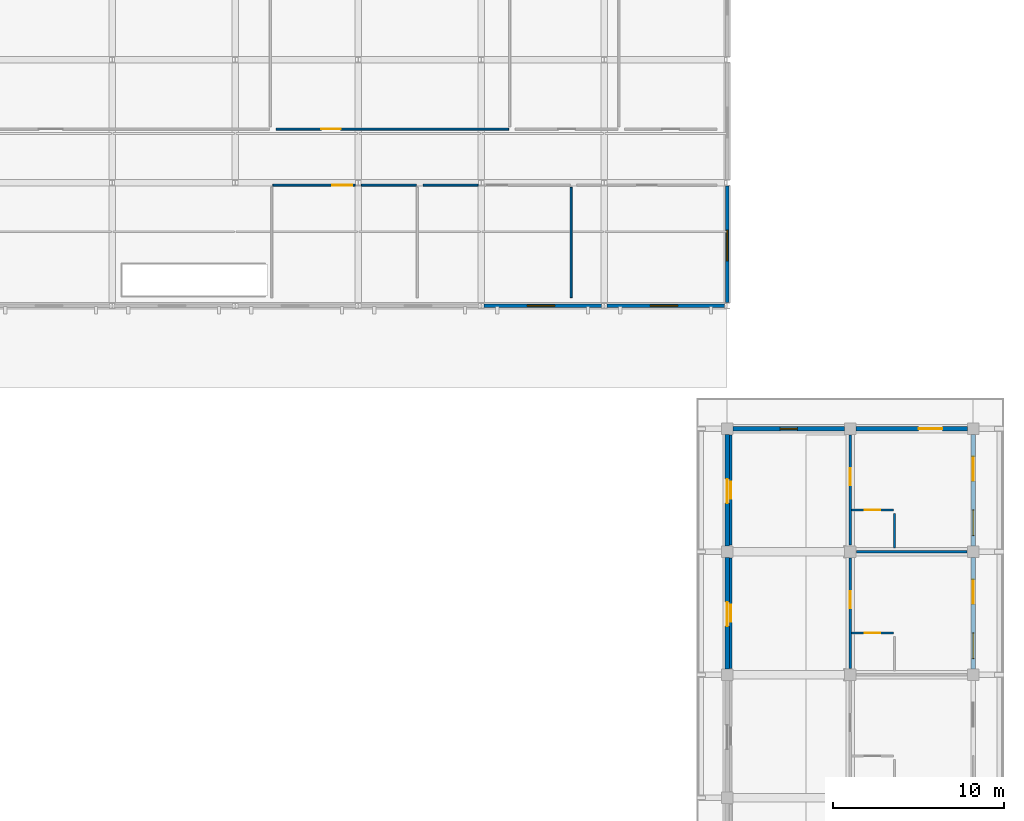
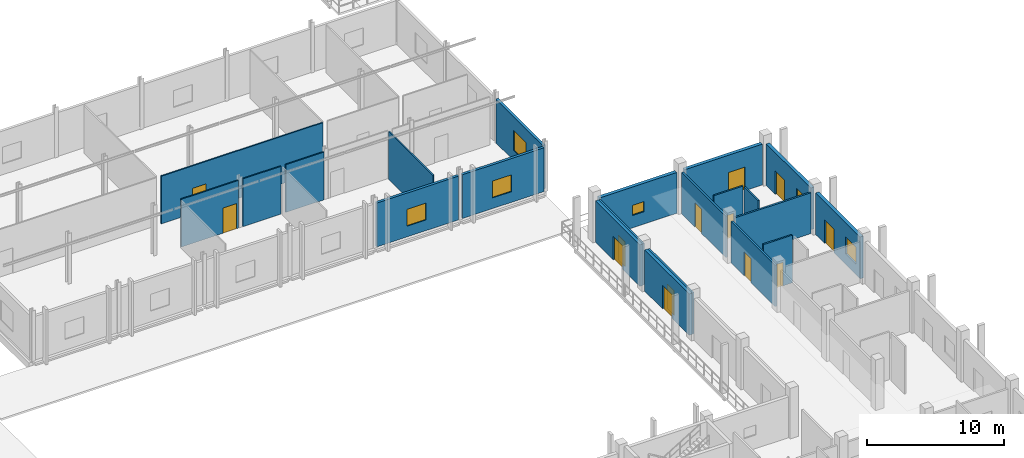
# One storey, part 85 of 110: 22 walls, 13 doors, 6 windows, 19 openings.
"""IFC4 building model written with IfcOpenShell, lengths in metres."""

from ifc_helpers import new_model, si_unit, direction, frame, frame_2d, origin, place, context, subcontext, project, spatial, rectangle, extrude, material, layer, layer_set, type_object, element, fill, save


model = new_model("IFC4")

# Units and contexts
model_context = context("Model", 3, precision=1e-05, world=origin(), true_north=direction((0.0, 1.0)))
body_context = subcontext(model_context, "Body", "Model", "MODEL_VIEW")
ifc_project = project(units=[si_unit("LENGTHUNIT", "METRE"), si_unit("AREAUNIT", "SQUARE_METRE"), si_unit("VOLUMEUNIT", "CUBIC_METRE"), si_unit("PLANEANGLEUNIT", "RADIAN"), si_unit("MASSUNIT", "GRAM", prefix="KILO")], contexts=[model_context])

# Site, building, storey
site_placement = place(None, origin())
site = spatial("IfcSite", under=ifc_project, at=site_placement, CompositionType="ELEMENT")
building_placement = place(site_placement, origin())
building = spatial("IfcBuilding", under=site, at=building_placement, Name="Suanplinth Sawtooth Commons", CompositionType="ELEMENT")
storey_placement = place(building_placement, frame((0.0, 0.0, 4.5)))
storey = spatial("IfcBuildingStorey", under=building, at=storey_placement, Name="L01", CompositionType="ELEMENT", Elevation=4.5)

# Wall, opening, door
ifc_material_1 = material(Name="Precast concrete C40/50", Category="concrete")
ifc_layer_1 = layer(ifc_material_1, 0.280029296875, Name="Insulated precast architectural facade wall 280mm")
ifc_layer_set_1 = layer_set([ifc_layer_1], Name="Precast concrete C40/50")
wall_type_1 = type_object("IfcWallType", Name="W-EX01", PredefinedType="ELEMENTEDWALL", material=ifc_layer_set_1)
wall_1_placement = place(storey_placement, frame((172.800048828125, 29.14990234375, 0.0), z_axis=(0.0, 0.0, 1.0), x_axis=(0.0, 1.0, 0.0)))
wall_1 = element("IfcWall", 1, at=wall_1_placement, inside=storey, type_object=wall_type_1, Name="Facade Wall W-L01-C-W-24-4", PredefinedType="ELEMENTEDWALL", context=body_context, shape_type="SweptSolid", body=[
    extrude(rectangle(XDim=6.5, YDim=0.280029296875, at=frame_2d((3.25, 0.0))), origin(), (0.0, 0.0, 1.0), 3.68505859375),
])
opening_1_placement = place(wall_1_placement, frame((2.5, 0.0, 0.0)))
opening_1 = element("IfcOpeningElement", 2, at=opening_1_placement, cuts=wall_1, Name="Opening ED0099", PredefinedType="OPENING", context=body_context, shape_type="SweptSolid", body=[
    extrude(rectangle(XDim=1.39990234375, YDim=2.10009765625, at=frame_2d((0.699951171875, 1.050048828125))), frame((0.0, 0.15478515625, 0.0), z_axis=(0.0, -1.0, 0.0), x_axis=(1.0, 0.0, 0.0)), (0.0, 0.0, 1.0), 0.309814453125),
])
ifc_material_2 = material(Name="Anodized aluminium and low-E glass", Category="aluminium")
door_type_1 = type_object("IfcDoorType", Name="SD-07", OperationType="SLIDING_TO_RIGHT", PredefinedType="DOOR", material=ifc_material_2)
door_1_placement = place(opening_1_placement, frame((1.39990234375, 0.0, 0.0), z_axis=(0.0, 0.0, 1.0), x_axis=(-1.0, 0.0, 0.0)))
door_1 = element("IfcDoor", 3, at=door_1_placement, inside=storey, type_object=door_type_1, Name="Courtyard Veranda Studio Balcony Door L01-C-4", OperationType="SLIDING_TO_RIGHT", OverallHeight=2.10009765625, OverallWidth=1.39990234375, PredefinedType="DOOR", context=body_context, shape_type="SweptSolid", body=[
    extrude(rectangle(XDim=1.39990234375, YDim=2.10009765625, at=frame_2d((0.699951171875, 1.050048828125))), frame((0.0, 0.02490234375, 0.0), z_axis=(0.0, -1.0, 0.0), x_axis=(1.0, 0.0, 0.0)), (0.0, 0.0, 1.0), 0.050048828125),
])
fill(opening_1, door_1)

# Wall, opening, window
wall_2_placement = place(storey_placement, frame((173.14990234375, 43.199951171875, 0.0), z_axis=(0.0, 0.0, 1.0), x_axis=(1.0, 0.0, 0.0)))
wall_2 = element("IfcWall", 4, at=wall_2_placement, inside=storey, type_object=wall_type_1, Name="Facade Wall W-L01-C-N-24-5", PredefinedType="ELEMENTEDWALL", context=body_context, shape_type="SweptSolid", body=[
    extrude(rectangle(XDim=6.5, YDim=0.280029296875, at=frame_2d((3.25, 0.0))), origin(), (0.0, 0.0, 1.0), 3.635009765625),
])
opening_2_placement = place(wall_2_placement, frame((2.75, 0.0, 1.10009765625)))
opening_2 = element("IfcOpeningElement", 5, at=opening_2_placement, cuts=wall_2, Name="Opening W0223", PredefinedType="OPENING", context=body_context, shape_type="SweptSolid", body=[
    extrude(rectangle(XDim=1.0, YDim=0.89990234375, at=frame_2d((0.5, 0.449951171875))), frame((0.0, 0.15478515625, 0.0), z_axis=(0.0, -1.0, 0.0), x_axis=(1.0, 0.0, 0.0)), (0.0, 0.0, 1.0), 0.309814453125),
])
ifc_material_3 = material(Name="Thermally broken aluminium and low-E double glazing", Category="aluminium")
window_type_1 = type_object("IfcWindowType", Name="WN-12", PartitioningType="SINGLE_PANEL", PredefinedType="WINDOW", material=ifc_material_3)
window_1_placement = place(opening_2_placement, origin())
window_1 = element("IfcWindow", 6, at=window_1_placement, inside=storey, type_object=window_type_1, Name="End Window L01-C-N-24-5", OverallHeight=0.89990234375, OverallWidth=1.0, PartitioningType="SINGLE_PANEL", PredefinedType="WINDOW", context=body_context, shape_type="SweptSolid", body=[
    extrude(rectangle(XDim=1.0, YDim=0.89990234375, at=frame_2d((0.5, 0.449951171875))), frame((0.0, 0.030029296875, 0.0), z_axis=(0.0, -1.0, 0.0), x_axis=(1.0, 0.0, 0.0)), (0.0, 0.0, 1.0), 0.06005859375),
])
fill(opening_2, window_1)

# Wall, opening, door
wall_3_placement = place(storey_placement, frame((172.800048828125, 36.35009765625, 0.0), z_axis=(0.0, 0.0, 1.0), x_axis=(0.0, 1.0, 0.0)))
wall_3 = element("IfcWall", 7, at=wall_3_placement, inside=storey, type_object=wall_type_1, Name="Facade Wall W-L01-C-W-24-5", PredefinedType="ELEMENTEDWALL", context=body_context, shape_type="SweptSolid", body=[
    extrude(rectangle(XDim=6.5, YDim=0.280029296875, at=frame_2d((3.25, 0.0))), origin(), (0.0, 0.0, 1.0), 3.68505859375),
])
opening_3_placement = place(wall_3_placement, frame((2.5, 0.0, 0.0)))
opening_3 = element("IfcOpeningElement", 8, at=opening_3_placement, cuts=wall_3, Name="Opening ED0100", PredefinedType="OPENING", context=body_context, shape_type="SweptSolid", body=[
    extrude(rectangle(XDim=1.39990234375, YDim=2.10009765625, at=frame_2d((0.699951171875, 1.050048828125))), frame((0.0, 0.15478515625, 0.0), z_axis=(0.0, -1.0, 0.0), x_axis=(1.0, 0.0, 0.0)), (0.0, 0.0, 1.0), 0.309814453125),
])
door_2_placement = place(opening_3_placement, frame((1.39990234375, 0.0, 0.0), z_axis=(0.0, 0.0, 1.0), x_axis=(-1.0, 0.0, 0.0)))
door_2 = element("IfcDoor", 9, at=door_2_placement, inside=storey, type_object=door_type_1, Name="Courtyard Veranda Studio Balcony Door L01-C-5", OperationType="SLIDING_TO_RIGHT", OverallHeight=2.10009765625, OverallWidth=1.39990234375, PredefinedType="DOOR", context=body_context, shape_type="SweptSolid", body=[
    extrude(rectangle(XDim=1.39990234375, YDim=2.10009765625, at=frame_2d((0.699951171875, 1.050048828125))), frame((0.0, 0.02490234375, 0.0), z_axis=(0.0, -1.0, 0.0), x_axis=(1.0, 0.0, 0.0)), (0.0, 0.0, 1.0), 0.050048828125),
])
fill(opening_3, door_2)

# Wall, openings, door, window
wall_4_placement = place(storey_placement, frame((187.199951171875, 29.14990234375, 0.0), z_axis=(0.0, 0.0, 1.0), x_axis=(0.0, 1.0, 0.0)))
wall_4 = element("IfcWall", 10, at=wall_4_placement, inside=storey, type_object=wall_type_1, Name="Facade Wall W-L01-C-E-25-4", PredefinedType="ELEMENTEDWALL", context=body_context, shape_type="SweptSolid", body=[
    extrude(rectangle(XDim=6.5, YDim=0.280029296875, at=frame_2d((3.25, 0.0))), origin(), (0.0, 0.0, 1.0), 3.715087890625),
])
opening_4_placement = place(wall_4_placement, frame((3.800048828125, 0.0, 0.0)))
opening_4 = element("IfcOpeningElement", 11, at=opening_4_placement, cuts=wall_4, Name="Opening ED0106", PredefinedType="OPENING", context=body_context, shape_type="SweptSolid", body=[
    extrude(rectangle(XDim=1.39990234375, YDim=2.10009765625, at=frame_2d((0.699951171875, 1.050048828125))), frame((0.0, 0.15478515625, 0.0), z_axis=(0.0, -1.0, 0.0), x_axis=(1.0, 0.0, 0.0)), (0.0, 0.0, 1.0), 0.309814453125),
])
opening_5_placement = place(wall_4_placement, frame((0.60009765625, 0.0, 0.949951171875)))
opening_5 = element("IfcOpeningElement", 12, at=opening_5_placement, cuts=wall_4, Name="Opening W0228", PredefinedType="OPENING", context=body_context, shape_type="SweptSolid", body=[
    extrude(rectangle(XDim=1.5, YDim=1.5, at=frame_2d((0.75, 0.75))), frame((0.0, 0.15478515625, 0.0), z_axis=(0.0, -1.0, 0.0), x_axis=(1.0, 0.0, 0.0)), (0.0, 0.0, 1.0), 0.309814453125),
])
door_3_placement = place(opening_4_placement, frame((1.39990234375, 0.0, 0.0), z_axis=(0.0, 0.0, 1.0), x_axis=(-1.0, 0.0, 0.0)))
door_3 = element("IfcDoor", 13, at=door_3_placement, inside=storey, type_object=door_type_1, Name="Wing Balcony Sliding Door L01-C-4", OperationType="SLIDING_TO_RIGHT", OverallHeight=2.10009765625, OverallWidth=1.39990234375, PredefinedType="DOOR", context=body_context, shape_type="SweptSolid", body=[
    extrude(rectangle(XDim=1.39990234375, YDim=2.10009765625, at=frame_2d((0.699951171875, 1.050048828125))), frame((0.0, 0.02490234375, 0.0), z_axis=(0.0, -1.0, 0.0), x_axis=(1.0, 0.0, 0.0)), (0.0, 0.0, 1.0), 0.050048828125),
])
fill(opening_4, door_3)
window_type_2 = type_object("IfcWindowType", Name="WN-02", PartitioningType="DOUBLE_PANEL_VERTICAL", PredefinedType="WINDOW", material=ifc_material_3)
window_2_placement = place(opening_5_placement, origin())
window_2 = element("IfcWindow", 14, at=window_2_placement, inside=storey, type_object=window_type_2, Name="Wing Window L01-C-4", OverallHeight=1.5, OverallWidth=1.5, PartitioningType="DOUBLE_PANEL_VERTICAL", PredefinedType="WINDOW", context=body_context, shape_type="SweptSolid", body=[
    extrude(rectangle(XDim=1.5, YDim=1.5, at=frame_2d((0.75, 0.75))), frame((0.0, 0.030029296875, 0.0), z_axis=(0.0, -1.0, 0.0), x_axis=(1.0, 0.0, 0.0)), (0.0, 0.0, 1.0), 0.06005859375),
])
fill(opening_5, window_2)

# Wall, opening, door
wall_5_placement = place(storey_placement, frame((180.35009765625, 43.199951171875, 0.0), z_axis=(0.0, 0.0, 1.0), x_axis=(1.0, 0.0, 0.0)))
wall_5 = element("IfcWall", 15, at=wall_5_placement, inside=storey, type_object=wall_type_1, Name="Facade Wall W-L01-C-N-25-5", PredefinedType="ELEMENTEDWALL", context=body_context, shape_type="SweptSolid", body=[
    extrude(rectangle(XDim=6.5, YDim=0.280029296875, at=frame_2d((3.25, 0.0))), origin(), (0.0, 0.0, 1.0), 3.635009765625),
])
opening_6_placement = place(wall_5_placement, frame((3.64990234375, 0.0, 0.0)))
opening_6 = element("IfcOpeningElement", 16, at=opening_6_placement, cuts=wall_5, Name="Opening ED0107", PredefinedType="OPENING", context=body_context, shape_type="SweptSolid", body=[
    extrude(rectangle(XDim=1.39990234375, YDim=2.10009765625, at=frame_2d((0.699951171875, 1.050048828125))), frame((0.0, 0.15478515625, 0.0), z_axis=(0.0, -1.0, 0.0), x_axis=(1.0, 0.0, 0.0)), (0.0, 0.0, 1.0), 0.309814453125),
])
door_4_placement = place(opening_6_placement, frame((1.39990234375, 0.0, 0.0), z_axis=(0.0, 0.0, 1.0), x_axis=(-1.0, 0.0, 0.0)))
door_4 = element("IfcDoor", 17, at=door_4_placement, inside=storey, type_object=door_type_1, Name="End Balcony Sliding Door L01-C-N-25-5", OperationType="SLIDING_TO_RIGHT", OverallHeight=2.10009765625, OverallWidth=1.39990234375, PredefinedType="DOOR", context=body_context, shape_type="SweptSolid", body=[
    extrude(rectangle(XDim=1.39990234375, YDim=2.10009765625, at=frame_2d((0.699951171875, 1.050048828125))), frame((0.0, 0.02490234375, 0.0), z_axis=(0.0, -1.0, 0.0), x_axis=(1.0, 0.0, 0.0)), (0.0, 0.0, 1.0), 0.050048828125),
])
fill(opening_6, door_4)

# Wall, openings, door, window
wall_6_placement = place(storey_placement, frame((187.199951171875, 36.35009765625, 0.0), z_axis=(0.0, 0.0, 1.0), x_axis=(0.0, 1.0, 0.0)))
wall_6 = element("IfcWall", 18, at=wall_6_placement, inside=storey, type_object=wall_type_1, Name="Facade Wall W-L01-C-E-25-5", PredefinedType="ELEMENTEDWALL", context=body_context, shape_type="SweptSolid", body=[
    extrude(rectangle(XDim=6.5, YDim=0.280029296875, at=frame_2d((3.25, 0.0))), origin(), (0.0, 0.0, 1.0), 3.715087890625),
])
opening_7_placement = place(wall_6_placement, frame((3.800048828125, 0.0, 0.0)))
opening_7 = element("IfcOpeningElement", 19, at=opening_7_placement, cuts=wall_6, Name="Opening ED0108", PredefinedType="OPENING", context=body_context, shape_type="SweptSolid", body=[
    extrude(rectangle(XDim=1.39990234375, YDim=2.10009765625, at=frame_2d((0.699951171875, 1.050048828125))), frame((0.0, 0.15478515625, 0.0), z_axis=(0.0, -1.0, 0.0), x_axis=(1.0, 0.0, 0.0)), (0.0, 0.0, 1.0), 0.309814453125),
])
opening_8_placement = place(wall_6_placement, frame((0.60009765625, 0.0, 0.949951171875)))
opening_8 = element("IfcOpeningElement", 20, at=opening_8_placement, cuts=wall_6, Name="Opening W0229", PredefinedType="OPENING", context=body_context, shape_type="SweptSolid", body=[
    extrude(rectangle(XDim=1.5, YDim=1.5, at=frame_2d((0.75, 0.75))), frame((0.0, 0.15478515625, 0.0), z_axis=(0.0, -1.0, 0.0), x_axis=(1.0, 0.0, 0.0)), (0.0, 0.0, 1.0), 0.309814453125),
])
door_5_placement = place(opening_7_placement, frame((1.39990234375, 0.0, 0.0), z_axis=(0.0, 0.0, 1.0), x_axis=(-1.0, 0.0, 0.0)))
door_5 = element("IfcDoor", 21, at=door_5_placement, inside=storey, type_object=door_type_1, Name="Wing Balcony Sliding Door L01-C-5", OperationType="SLIDING_TO_RIGHT", OverallHeight=2.10009765625, OverallWidth=1.39990234375, PredefinedType="DOOR", context=body_context, shape_type="SweptSolid", body=[
    extrude(rectangle(XDim=1.39990234375, YDim=2.10009765625, at=frame_2d((0.699951171875, 1.050048828125))), frame((0.0, 0.02490234375, 0.0), z_axis=(0.0, -1.0, 0.0), x_axis=(1.0, 0.0, 0.0)), (0.0, 0.0, 1.0), 0.050048828125),
])
fill(opening_7, door_5)
window_3_placement = place(opening_8_placement, origin())
window_3 = element("IfcWindow", 22, at=window_3_placement, inside=storey, type_object=window_type_2, Name="Wing Window L01-C-5", OverallHeight=1.5, OverallWidth=1.5, PartitioningType="DOUBLE_PANEL_VERTICAL", PredefinedType="WINDOW", context=body_context, shape_type="SweptSolid", body=[
    extrude(rectangle(XDim=1.5, YDim=1.5, at=frame_2d((0.75, 0.75))), frame((0.0, 0.030029296875, 0.0), z_axis=(0.0, -1.0, 0.0), x_axis=(1.0, 0.0, 0.0)), (0.0, 0.0, 1.0), 0.06005859375),
])
fill(opening_8, window_3)

# Wall, opening, window
ifc_layer_2 = layer(ifc_material_1, 0.219970703125, Name="Civic pavilion insulated facade wall 220mm")
ifc_layer_set_2 = layer_set([ifc_layer_2], Name="Precast concrete C40/50")
wall_type_2 = type_object("IfcWallType", Name="W-EX05", PredefinedType="ELEMENTEDWALL", material=ifc_layer_set_2)
wall_7_placement = place(storey_placement, frame((158.550048828125, 50.39990234375, 0.0), z_axis=(0.0, 0.0, 1.0), x_axis=(1.0, 0.0, 0.0)))
wall_7 = element("IfcWall", 23, at=wall_7_placement, inside=storey, type_object=wall_type_2, Name="Clinic S Wall L01-22", PredefinedType="ELEMENTEDWALL", context=body_context, shape_type="SweptSolid", body=[
    extrude(rectangle(XDim=6.89990234375, YDim=0.219970703125, at=frame_2d((3.449951171875, 0.0))), origin(), (0.0, 0.0, 1.0), 3.89990234375),
])
opening_9_placement = place(wall_7_placement, frame((2.550048828125, 0.0, 0.949951171875)))
opening_9 = element("IfcOpeningElement", 24, at=opening_9_placement, cuts=wall_7, Name="Opening W0037", PredefinedType="OPENING", context=body_context, shape_type="SweptSolid", body=[
    extrude(rectangle(XDim=1.60009765625, YDim=1.5, at=frame_2d((0.800048828125, 0.75))), frame((0.0, 0.125, 0.0), z_axis=(0.0, -1.0, 0.0), x_axis=(1.0, 0.0, 0.0)), (0.0, 0.0, 1.0), 0.249755859375),
])
window_type_3 = type_object("IfcWindowType", Name="WN-08", PartitioningType="DOUBLE_PANEL_VERTICAL", PredefinedType="WINDOW", material=ifc_material_3)
window_4_placement = place(opening_9_placement, origin())
window_4 = element("IfcWindow", 25, at=window_4_placement, inside=storey, type_object=window_type_3, Name="Clinic Window S-22", OverallHeight=1.5, OverallWidth=1.60009765625, PartitioningType="DOUBLE_PANEL_VERTICAL", PredefinedType="WINDOW", context=body_context, shape_type="SweptSolid", body=[
    extrude(rectangle(XDim=1.60009765625, YDim=1.5, at=frame_2d((0.800048828125, 0.75))), frame((0.0, 0.030029296875, 0.0), z_axis=(0.0, -1.0, 0.0), x_axis=(1.0, 0.0, 0.0)), (0.0, 0.0, 1.0), 0.06005859375),
])
fill(opening_9, window_4)

wall_8_placement = place(storey_placement, frame((165.75, 50.39990234375, 0.0), z_axis=(0.0, 0.0, 1.0), x_axis=(1.0, 0.0, 0.0)))
wall_8 = element("IfcWall", 26, at=wall_8_placement, inside=storey, type_object=wall_type_2, Name="Clinic S Wall L01-23", PredefinedType="ELEMENTEDWALL", context=body_context, shape_type="SweptSolid", body=[
    extrude(rectangle(XDim=6.89990234375, YDim=0.219970703125, at=frame_2d((3.449951171875, 0.0))), origin(), (0.0, 0.0, 1.0), 3.89990234375),
])
opening_10_placement = place(wall_8_placement, frame((2.550048828125, 0.0, 0.949951171875)))
opening_10 = element("IfcOpeningElement", 27, at=opening_10_placement, cuts=wall_8, Name="Opening W0040", PredefinedType="OPENING", context=body_context, shape_type="SweptSolid", body=[
    extrude(rectangle(XDim=1.60009765625, YDim=1.5, at=frame_2d((0.800048828125, 0.75))), frame((0.0, 0.125, 0.0), z_axis=(0.0, -1.0, 0.0), x_axis=(1.0, 0.0, 0.0)), (0.0, 0.0, 1.0), 0.249755859375),
])
window_5_placement = place(opening_10_placement, origin())
window_5 = element("IfcWindow", 28, at=window_5_placement, inside=storey, type_object=window_type_3, Name="Clinic Window S-23", OverallHeight=1.5, OverallWidth=1.60009765625, PartitioningType="DOUBLE_PANEL_VERTICAL", PredefinedType="WINDOW", context=body_context, shape_type="SweptSolid", body=[
    extrude(rectangle(XDim=1.60009765625, YDim=1.5, at=frame_2d((0.800048828125, 0.75))), frame((0.0, 0.030029296875, 0.0), z_axis=(0.0, -1.0, 0.0), x_axis=(1.0, 0.0, 0.0)), (0.0, 0.0, 1.0), 0.06005859375),
])
fill(opening_10, window_5)

wall_9_placement = place(storey_placement, frame((172.800048828125, 50.580078125, 0.0), z_axis=(0.0, 0.0, 1.0), x_axis=(0.0, 1.0, 0.0)))
wall_9 = element("IfcWall", 29, at=wall_9_placement, inside=storey, type_object=wall_type_2, Name="Nursery E Wall L01-7", PredefinedType="ELEMENTEDWALL", context=body_context, shape_type="SweptSolid", body=[
    extrude(rectangle(XDim=6.83984375, YDim=0.219970703125, at=frame_2d((3.419921875, 0.0))), origin(), (0.0, 0.0, 1.0), 3.89990234375),
])
opening_11_placement = place(wall_9_placement, frame((2.449951171875, 0.0, 0.89990234375)))
opening_11 = element("IfcOpeningElement", 30, at=opening_11_placement, cuts=wall_9, Name="Opening W0045", PredefinedType="OPENING", context=body_context, shape_type="SweptSolid", body=[
    extrude(rectangle(XDim=1.800048828125, YDim=1.800048828125, at=frame_2d((0.89990234375, 0.89990234375))), frame((0.0, 0.125, 0.0), z_axis=(0.0, -1.0, 0.0), x_axis=(1.0, 0.0, 0.0)), (0.0, 0.0, 1.0), 0.249755859375),
])
window_type_4 = type_object("IfcWindowType", Name="WN-07", PartitioningType="DOUBLE_PANEL_VERTICAL", PredefinedType="WINDOW", material=ifc_material_3)
window_6_placement = place(opening_11_placement, origin())
window_6 = element("IfcWindow", 31, at=window_6_placement, inside=storey, type_object=window_type_4, Name="Nursery E Window L01-7", OverallHeight=1.800048828125, OverallWidth=1.800048828125, PartitioningType="DOUBLE_PANEL_VERTICAL", PredefinedType="WINDOW", context=body_context, shape_type="SweptSolid", body=[
    extrude(rectangle(XDim=1.800048828125, YDim=1.800048828125, at=frame_2d((0.89990234375, 0.89990234375))), frame((0.0, 0.030029296875, 0.0), z_axis=(0.0, -1.0, 0.0), x_axis=(1.0, 0.0, 0.0)), (0.0, 0.0, 1.0), 0.06005859375),
])
fill(opening_11, window_6)

# Wall, opening, door
ifc_layer_3 = layer(ifc_material_1, 0.159912109375, Name="Fire-rated corridor and lobby wall 160mm")
ifc_layer_set_3 = layer_set([ifc_layer_3], Name="Precast concrete C40/50")
wall_type_3 = type_object("IfcWallType", Name="W-FW01", PredefinedType="PARTITIONING", material=ifc_layer_set_3)
wall_10_placement = place(storey_placement, frame((180.0, 29.179931640625, 0.0), z_axis=(0.0, 0.0, 1.0), x_axis=(0.0, 1.0, 0.0)))
wall_10 = element("IfcWall", 32, at=wall_10_placement, inside=storey, type_object=wall_type_3, Name="W-C-L01-L03-COR", PredefinedType="PARTITIONING", context=body_context, shape_type="SweptSolid", body=[
    extrude(rectangle(XDim=6.440185546875, YDim=0.159912109375, at=frame_2d((3.22021484375, 0.0))), origin(), (0.0, 0.0, 1.0), 3.68505859375),
])
opening_12_placement = place(wall_10_placement, frame((3.52001953125, 0.0, 0.0)))
opening_12 = element("IfcOpeningElement", 33, at=opening_12_placement, cuts=wall_10, Name="Opening FD0645", PredefinedType="OPENING", context=body_context, shape_type="SweptSolid", body=[
    extrude(rectangle(XDim=1.0, YDim=2.14990234375, at=frame_2d((0.5, 1.074951171875))), frame((0.0, 0.0947265625, 0.0), z_axis=(0.0, -1.0, 0.0), x_axis=(1.0, 0.0, 0.0)), (0.0, 0.0, 1.0), 0.189697265625),
])
ifc_material_4 = material(Name="Teak hardwood fire-rated door assembly", Category="wood")
door_type_2 = type_object("IfcDoorType", Name="FD-03", OperationType="NOTDEFINED", PredefinedType="DOOR", material=ifc_material_4)
door_6_placement = place(opening_12_placement, frame((1.0, 0.0, 0.0), z_axis=(0.0, 0.0, 1.0), x_axis=(-1.0, 0.0, 0.0)))
door_6 = element("IfcDoor", 34, at=door_6_placement, inside=storey, type_object=door_type_2, Name="Wing Unit Entrance Door FD0645", OperationType="SINGLE_SWING_LEFT", OverallHeight=2.14990234375, OverallWidth=1.0, PredefinedType="DOOR", context=body_context, shape_type="SweptSolid", body=[
    extrude(rectangle(XDim=1.0, YDim=2.14990234375, at=frame_2d((0.5, 1.074951171875))), frame((0.0, 0.02490234375, 0.0), z_axis=(0.0, -1.0, 0.0), x_axis=(1.0, 0.0, 0.0)), (0.0, 0.0, 1.0), 0.050048828125),
])
fill(opening_12, door_6)

wall_11_placement = place(storey_placement, frame((173.0, 29.179931640625, 0.0), z_axis=(0.0, 0.0, 1.0), x_axis=(0.0, 1.0, 0.0)))
wall_11 = element("IfcWall", 35, at=wall_11_placement, inside=storey, type_object=wall_type_3, Name="W-C-L01-LEGCOURTROOM-56-COR", PredefinedType="PARTITIONING", context=body_context, shape_type="SweptSolid", body=[
    extrude(rectangle(XDim=6.440185546875, YDim=0.159912109375, at=frame_2d((3.22021484375, 0.0))), origin(), (0.0, 0.0, 1.0), 3.68505859375),
])
opening_13_placement = place(wall_11_placement, frame((2.7099609375, 0.0, 0.0)))
opening_13 = element("IfcOpeningElement", 36, at=opening_13_placement, cuts=wall_11, Name="Opening D0647", PredefinedType="OPENING", context=body_context, shape_type="SweptSolid", body=[
    extrude(rectangle(XDim=1.02001953125, YDim=2.179931640625, at=frame_2d((0.510009765625, 1.08984375))), frame((0.0, 0.0947265625, 0.0), z_axis=(0.0, -1.0, 0.0), x_axis=(1.0, 0.0, 0.0)), (0.0, 0.0, 1.0), 0.189697265625),
])
ifc_material_5 = material(Name="Teak hardwood", Category="wood")
door_type_3 = type_object("IfcDoorType", Name="D-16", OperationType="NOTDEFINED", PredefinedType="DOOR", material=ifc_material_5)
door_7_placement = place(opening_13_placement, origin())
door_7 = element("IfcDoor", 37, at=door_7_placement, inside=storey, type_object=door_type_3, Name="Veranda Studio Door D0647", OperationType="SINGLE_SWING_LEFT", OverallHeight=2.179931640625, OverallWidth=1.02001953125, PredefinedType="DOOR", context=body_context, shape_type="SweptSolid", body=[
    extrude(rectangle(XDim=1.02001953125, YDim=2.179931640625, at=frame_2d((0.510009765625, 1.08984375))), frame((0.0, 0.02490234375, 0.0), z_axis=(0.0, -1.0, 0.0), x_axis=(1.0, 0.0, 0.0)), (0.0, 0.0, 1.0), 0.050048828125),
])
fill(opening_13, door_7)

wall_12_placement = place(storey_placement, frame((180.0, 36.3798828125, 0.0), z_axis=(0.0, 0.0, 1.0), x_axis=(0.0, 1.0, 0.0)))
wall_12 = element("IfcWall", 38, at=wall_12_placement, inside=storey, type_object=wall_type_3, Name="W-C-L01-L04-COR", PredefinedType="PARTITIONING", context=body_context, shape_type="SweptSolid", body=[
    extrude(rectangle(XDim=6.440185546875, YDim=0.159912109375, at=frame_2d((3.22021484375, 0.0))), origin(), (0.0, 0.0, 1.0), 3.68505859375),
])
opening_14_placement = place(wall_12_placement, frame((3.52001953125, 0.0, 0.0)))
opening_14 = element("IfcOpeningElement", 39, at=opening_14_placement, cuts=wall_12, Name="Opening FD0648", PredefinedType="OPENING", context=body_context, shape_type="SweptSolid", body=[
    extrude(rectangle(XDim=1.0, YDim=2.14990234375, at=frame_2d((0.5, 1.074951171875))), frame((0.0, 0.0947265625, 0.0), z_axis=(0.0, -1.0, 0.0), x_axis=(1.0, 0.0, 0.0)), (0.0, 0.0, 1.0), 0.189697265625),
])
door_8_placement = place(opening_14_placement, frame((1.0, 0.0, 0.0), z_axis=(0.0, 0.0, 1.0), x_axis=(-1.0, 0.0, 0.0)))
door_8 = element("IfcDoor", 40, at=door_8_placement, inside=storey, type_object=door_type_2, Name="Wing Unit Entrance Door FD0648", OperationType="SINGLE_SWING_RIGHT", OverallHeight=2.14990234375, OverallWidth=1.0, PredefinedType="DOOR", context=body_context, shape_type="SweptSolid", body=[
    extrude(rectangle(XDim=1.0, YDim=2.14990234375, at=frame_2d((0.5, 1.074951171875))), frame((0.0, 0.02490234375, 0.0), z_axis=(0.0, -1.0, 0.0), x_axis=(1.0, 0.0, 0.0)), (0.0, 0.0, 1.0), 0.050048828125),
])
fill(opening_14, door_8)

wall_13_placement = place(storey_placement, frame((173.0, 36.3798828125, 0.0), z_axis=(0.0, 0.0, 1.0), x_axis=(0.0, 1.0, 0.0)))
wall_13 = element("IfcWall", 41, at=wall_13_placement, inside=storey, type_object=wall_type_3, Name="W-C-L01-LEGCOURTROOM-58-COR", PredefinedType="PARTITIONING", context=body_context, shape_type="SweptSolid", body=[
    extrude(rectangle(XDim=6.440185546875, YDim=0.159912109375, at=frame_2d((3.22021484375, 0.0))), origin(), (0.0, 0.0, 1.0), 3.68505859375),
])
opening_15_placement = place(wall_13_placement, frame((2.7099609375, 0.0, 0.0)))
opening_15 = element("IfcOpeningElement", 42, at=opening_15_placement, cuts=wall_13, Name="Opening D0650", PredefinedType="OPENING", context=body_context, shape_type="SweptSolid", body=[
    extrude(rectangle(XDim=1.02001953125, YDim=2.179931640625, at=frame_2d((0.510009765625, 1.08984375))), frame((0.0, 0.0947265625, 0.0), z_axis=(0.0, -1.0, 0.0), x_axis=(1.0, 0.0, 0.0)), (0.0, 0.0, 1.0), 0.189697265625),
])
door_9_placement = place(opening_15_placement, origin())
door_9 = element("IfcDoor", 43, at=door_9_placement, inside=storey, type_object=door_type_3, Name="Veranda Studio Door D0650", OperationType="SINGLE_SWING_RIGHT", OverallHeight=2.179931640625, OverallWidth=1.02001953125, PredefinedType="DOOR", context=body_context, shape_type="SweptSolid", body=[
    extrude(rectangle(XDim=1.02001953125, YDim=2.179931640625, at=frame_2d((0.510009765625, 1.08984375))), frame((0.0, 0.02490234375, 0.0), z_axis=(0.0, -1.0, 0.0), x_axis=(1.0, 0.0, 0.0)), (0.0, 0.0, 1.0), 0.050048828125),
])
fill(opening_15, door_9)

# Wall
ifc_layer_4 = layer(ifc_material_1, 0.14990234375, Name="Acoustic precast party demising wall 150mm")
ifc_layer_set_4 = layer_set([ifc_layer_4], Name="Precast concrete C40/50")
wall_type_4 = type_object("IfcWallType", Name="W-FW02", PredefinedType="PARTITIONING", material=ifc_layer_set_4)
wall_14_placement = place(storey_placement, frame((180.3798828125, 36.0, 0.0), z_axis=(0.0, 0.0, 1.0), x_axis=(1.0, 0.0, 0.0)))
element("IfcWall", 44, at=wall_14_placement, inside=storey, type_object=wall_type_4, Name="W-C-L01-L03-PTY", PredefinedType="PARTITIONING", context=body_context, shape_type="SweptSolid", body=[
    extrude(rectangle(XDim=6.440185546875, YDim=0.14990234375, at=frame_2d((3.22021484375, 0.0))), origin(), (0.0, 0.0, 1.0), 3.635009765625),
])

# Wall, opening, door
ifc_material_6 = material(Name="Gypsum plasterboard on steel stud", Category="steel")
ifc_layer_5 = layer(ifc_material_6, 0.1298828125, Name="Moisture-resistant bathroom partition 130mm")
ifc_layer_set_5 = layer_set([ifc_layer_5], Name="Gypsum plasterboard on steel stud")
wall_type_5 = type_object("IfcWallType", Name="W-PT02", PredefinedType="PARTITIONING", material=ifc_layer_set_5)
wall_15_placement = place(storey_placement, frame((180.080078125, 31.2451171875, 0.0), z_axis=(0.0, 0.0, 1.0), x_axis=(1.0, 0.0, 0.0)))
wall_15 = element("IfcWall", 45, at=wall_15_placement, inside=storey, type_object=wall_type_5, Name="W-C-L01-L03-BTH1", PredefinedType="PARTITIONING", context=body_context, shape_type="SweptSolid", body=[
    extrude(rectangle(XDim=2.449951171875, YDim=0.1298828125, at=frame_2d((1.22509765625, 0.0))), origin(), (0.0, 0.0, 1.0), 4.25),
])
opening_16_placement = place(wall_15_placement, frame((0.77490234375, 0.0, 0.0)))
opening_16 = element("IfcOpeningElement", 46, at=opening_16_placement, cuts=wall_15, Name="Opening D0646", PredefinedType="OPENING", context=body_context, shape_type="SweptSolid", body=[
    extrude(rectangle(XDim=0.89990234375, YDim=2.10009765625, at=frame_2d((0.449951171875, 1.050048828125))), frame((0.0, 0.079833984375, 0.0), z_axis=(0.0, -1.0, 0.0), x_axis=(1.0, 0.0, 0.0)), (0.0, 0.0, 1.0), 0.15966796875),
])
door_type_4 = type_object("IfcDoorType", Name="D-01", OperationType="NOTDEFINED", PredefinedType="DOOR", material=ifc_material_5)
door_10_placement = place(opening_16_placement, frame((0.89990234375, 0.0, 0.0), z_axis=(0.0, 0.0, 1.0), x_axis=(-1.0, 0.0, 0.0)))
door_10 = element("IfcDoor", 47, at=door_10_placement, inside=storey, type_object=door_type_4, Name="Bathroom Door D0646", OperationType="SINGLE_SWING_RIGHT", OverallHeight=2.10009765625, OverallWidth=0.89990234375, PredefinedType="DOOR", context=body_context, shape_type="SweptSolid", body=[
    extrude(rectangle(XDim=0.89990234375, YDim=2.10009765625, at=frame_2d((0.449951171875, 1.050048828125))), frame((0.0, 0.02490234375, 0.0), z_axis=(0.0, -1.0, 0.0), x_axis=(1.0, 0.0, 0.0)), (0.0, 0.0, 1.0), 0.050048828125),
])
fill(opening_16, door_10)

wall_16_placement = place(storey_placement, frame((180.080078125, 38.445068359375, 0.0), z_axis=(0.0, 0.0, 1.0), x_axis=(1.0, 0.0, 0.0)))
wall_16 = element("IfcWall", 48, at=wall_16_placement, inside=storey, type_object=wall_type_5, Name="W-C-L01-L04-BTH1", PredefinedType="PARTITIONING", context=body_context, shape_type="SweptSolid", body=[
    extrude(rectangle(XDim=2.449951171875, YDim=0.1298828125, at=frame_2d((1.22509765625, 0.0))), origin(), (0.0, 0.0, 1.0), 4.25),
])
opening_17_placement = place(wall_16_placement, frame((0.77490234375, 0.0, 0.0)))
opening_17 = element("IfcOpeningElement", 49, at=opening_17_placement, cuts=wall_16, Name="Opening D0649", PredefinedType="OPENING", context=body_context, shape_type="SweptSolid", body=[
    extrude(rectangle(XDim=0.89990234375, YDim=2.10009765625, at=frame_2d((0.449951171875, 1.050048828125))), frame((0.0, 0.079833984375, 0.0), z_axis=(0.0, -1.0, 0.0), x_axis=(1.0, 0.0, 0.0)), (0.0, 0.0, 1.0), 0.15966796875),
])
door_11_placement = place(opening_17_placement, frame((0.89990234375, 0.0, 0.0), z_axis=(0.0, 0.0, 1.0), x_axis=(-1.0, 0.0, 0.0)))
door_11 = element("IfcDoor", 50, at=door_11_placement, inside=storey, type_object=door_type_4, Name="Bathroom Door D0649", OperationType="SINGLE_SWING_LEFT", OverallHeight=2.10009765625, OverallWidth=0.89990234375, PredefinedType="DOOR", context=body_context, shape_type="SweptSolid", body=[
    extrude(rectangle(XDim=0.89990234375, YDim=2.10009765625, at=frame_2d((0.449951171875, 1.050048828125))), frame((0.0, 0.02490234375, 0.0), z_axis=(0.0, -1.0, 0.0), x_axis=(1.0, 0.0, 0.0)), (0.0, 0.0, 1.0), 0.050048828125),
])
fill(opening_17, door_11)

# Wall
wall_17_placement = place(storey_placement, frame((182.594970703125, 36.22998046875, 0.0), z_axis=(0.0, 0.0, 1.0), x_axis=(0.0, 1.0, 0.0)))
element("IfcWall", 51, at=wall_17_placement, inside=storey, type_object=wall_type_5, Name="W-C-L01-L04-BTH2", PredefinedType="PARTITIONING", context=body_context, shape_type="SweptSolid", body=[
    extrude(rectangle(XDim=2.0, YDim=0.1298828125, at=frame_2d((1.0, 0.0))), origin(), (0.0, 0.0, 1.0), 4.25),
])

# Wall, opening, door
ifc_layer_6 = layer(ifc_material_6, 0.110107421875, Name="Civic classroom and clinic partition 110mm")
ifc_layer_set_6 = layer_set([ifc_layer_6], Name="Gypsum plasterboard on steel stud")
wall_type_6 = type_object("IfcWallType", Name="W-PT04", PredefinedType="PARTITIONING", material=ifc_layer_set_6)
wall_18_placement = place(storey_placement, frame((146.199951171875, 57.4599609375, 0.0), z_axis=(0.0, 0.0, 1.0), x_axis=(1.0, 0.0, 0.0)))
wall_18 = element("IfcWall", 52, at=wall_18_placement, inside=storey, type_object=wall_type_6, Name="W-L01-CLIN-CONS1-N-S1", PredefinedType="PARTITIONING", context=body_context, shape_type="SweptSolid", body=[
    extrude(rectangle(XDim=4.820068359375, YDim=0.110107421875, at=frame_2d((2.41015625, 0.0))), origin(), (0.0, 0.0, 1.0), 4.25),
])
opening_18_placement = place(wall_18_placement, frame((3.489990234375, 0.0, 0.0)))
opening_18 = element("IfcOpeningElement", 53, at=opening_18_placement, cuts=wall_18, Name="Opening D0451", PredefinedType="OPENING", context=body_context, shape_type="SweptSolid", body=[
    extrude(rectangle(XDim=1.14990234375, YDim=2.25, at=frame_2d((0.574951171875, 1.125))), frame((0.0, 0.06982421875, 0.0), z_axis=(0.0, -1.0, 0.0), x_axis=(1.0, 0.0, 0.0)), (0.0, 0.0, 1.0), 0.139892578125),
])
door_type_5 = type_object("IfcDoorType", Name="D-07", OperationType="NOTDEFINED", PredefinedType="DOOR", material=ifc_material_5)
door_12_placement = place(opening_18_placement, frame((1.14990234375, 0.0, 0.0), z_axis=(0.0, 0.0, 1.0), x_axis=(-1.0, 0.0, 0.0)))
door_12 = element("IfcDoor", 54, at=door_12_placement, inside=storey, type_object=door_type_5, Name="Civic Room Door D0451", OperationType="SINGLE_SWING_RIGHT", OverallHeight=2.25, OverallWidth=1.14990234375, PredefinedType="DOOR", context=body_context, shape_type="SweptSolid", body=[
    extrude(rectangle(XDim=1.14990234375, YDim=2.25, at=frame_2d((0.574951171875, 1.125))), frame((0.0, 0.02490234375, 0.0), z_axis=(0.0, -1.0, 0.0), x_axis=(1.0, 0.0, 0.0)), (0.0, 0.0, 1.0), 0.050048828125),
])
fill(opening_18, door_12)

# Walls
wall_19_placement = place(storey_placement, frame((151.3798828125, 57.4599609375, 0.0), z_axis=(0.0, 0.0, 1.0), x_axis=(1.0, 0.0, 0.0)))
element("IfcWall", 55, at=wall_19_placement, inside=storey, type_object=wall_type_6, Name="W-L01-CLIN-CONS1-N-S2", PredefinedType="PARTITIONING", context=body_context, shape_type="SweptSolid", body=[
    extrude(rectangle(XDim=3.22021484375, YDim=0.110107421875, at=frame_2d((1.610107421875, 0.0))), origin(), (0.0, 0.0, 1.0), 4.25),
])
wall_20_placement = place(storey_placement, frame((155.0, 57.4599609375, 0.0), z_axis=(0.0, 0.0, 1.0), x_axis=(1.0, 0.0, 0.0)))
element("IfcWall", 56, at=wall_20_placement, inside=storey, type_object=wall_type_6, Name="W-L01-CLIN-CONS2-N-S1", PredefinedType="PARTITIONING", context=body_context, shape_type="SweptSolid", body=[
    extrude(rectangle(XDim=3.219970703125, YDim=0.110107421875, at=frame_2d((1.60986328125, 0.0))), origin(), (0.0, 0.0, 1.0), 4.25),
])
wall_21_placement = place(storey_placement, frame((163.659912109375, 50.8798828125, 0.0), z_axis=(0.0, 0.0, 1.0), x_axis=(0.0, 1.0, 0.0)))
element("IfcWall", 57, at=wall_21_placement, inside=storey, type_object=wall_type_6, Name="W-L01-CLIN-CONS2-E", PredefinedType="PARTITIONING", context=body_context, shape_type="SweptSolid", body=[
    extrude(rectangle(XDim=6.440185546875, YDim=0.110107421875, at=frame_2d((3.22021484375, 0.0))), origin(), (0.0, 0.0, 1.0), 4.25),
])

# Wall, opening, door
wall_22_placement = place(storey_placement, frame((146.39990234375, 60.739990234375, 0.0), z_axis=(0.0, 0.0, 1.0), x_axis=(1.0, 0.0, 0.0)))
wall_22 = element("IfcWall", 58, at=wall_22_placement, inside=storey, type_object=wall_type_6, Name="W-L01-CLIN-STAFF-S", PredefinedType="PARTITIONING", context=body_context, shape_type="SweptSolid", body=[
    extrude(rectangle(XDim=13.60009765625, YDim=0.110107421875, at=frame_2d((6.800048828125, 0.0))), origin(), (0.0, 0.0, 1.0), 4.25),
])
opening_19_placement = place(wall_22_placement, frame((2.625, 0.0, 0.0)))
opening_19 = element("IfcOpeningElement", 59, at=opening_19_placement, cuts=wall_22, Name="Opening D0455", PredefinedType="OPENING", context=body_context, shape_type="SweptSolid", body=[
    extrude(rectangle(XDim=1.14990234375, YDim=2.25, at=frame_2d((0.574951171875, 1.125))), frame((0.0, 0.06982421875, 0.0), z_axis=(0.0, -1.0, 0.0), x_axis=(1.0, 0.0, 0.0)), (0.0, 0.0, 1.0), 0.139892578125),
])
door_13_placement = place(opening_19_placement, origin())
door_13 = element("IfcDoor", 60, at=door_13_placement, inside=storey, type_object=door_type_5, Name="Civic Room Door D0455", OperationType="SINGLE_SWING_LEFT", OverallHeight=2.25, OverallWidth=1.14990234375, PredefinedType="DOOR", context=body_context, shape_type="SweptSolid", body=[
    extrude(rectangle(XDim=1.14990234375, YDim=2.25, at=frame_2d((0.574951171875, 1.125))), frame((0.0, 0.02490234375, 0.0), z_axis=(0.0, -1.0, 0.0), x_axis=(1.0, 0.0, 0.0)), (0.0, 0.0, 1.0), 0.050048828125),
])
fill(opening_19, door_13)

save(model, "model.ifc")
